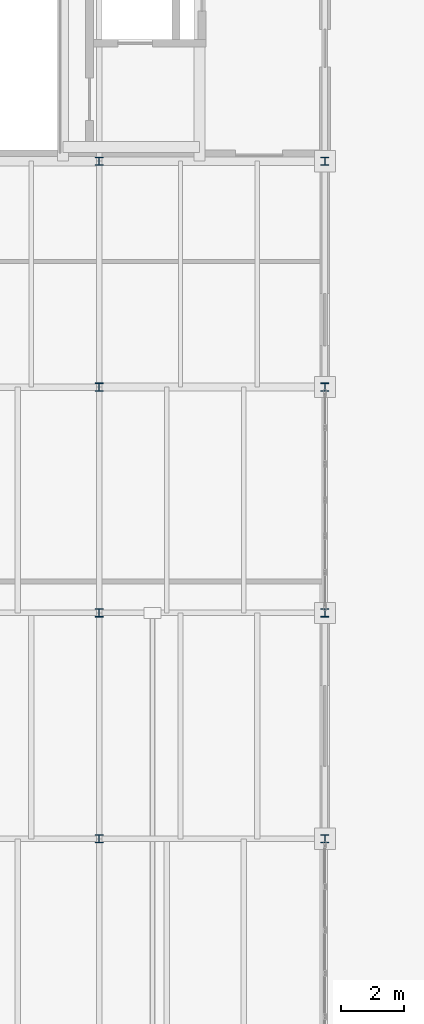
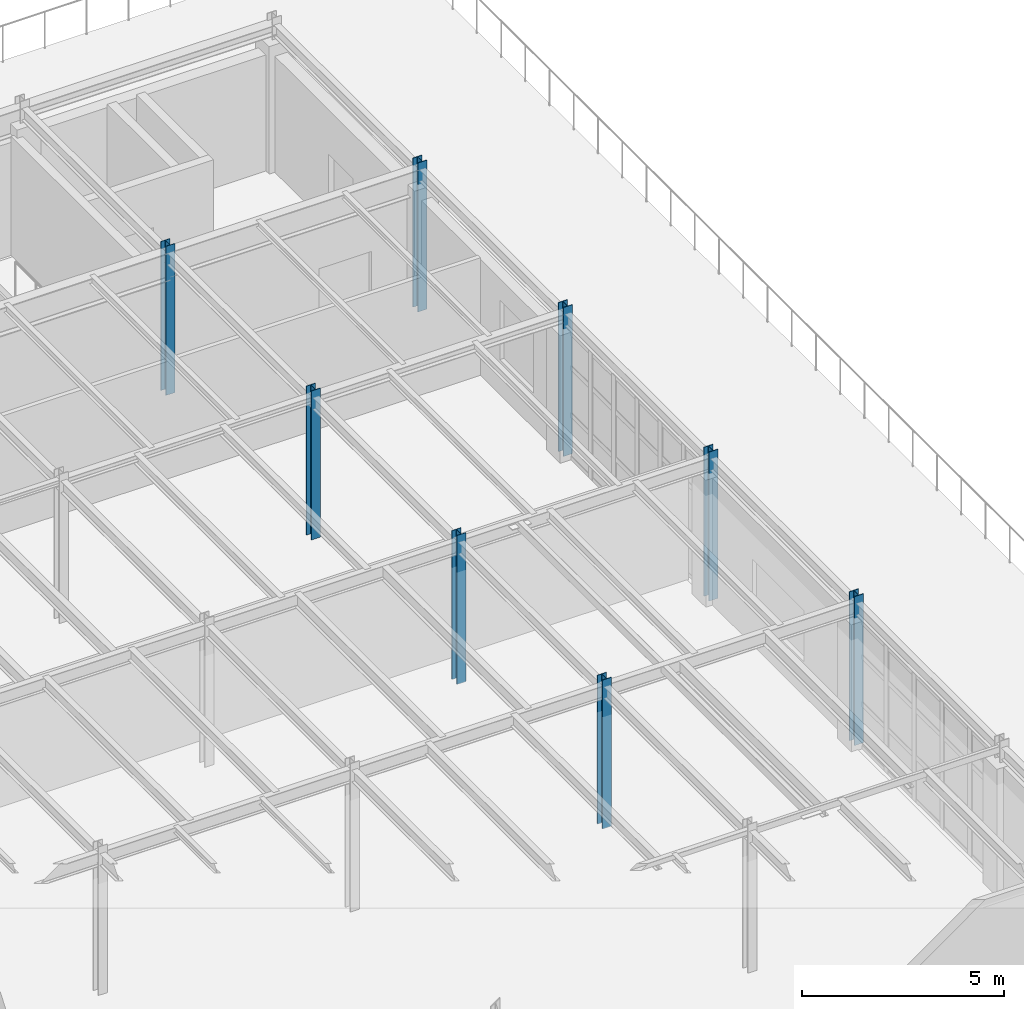
# One storey, part 5 of 36: 8 columns.
"""IFC4 building model written with IfcOpenShell, lengths in metres."""

from ifc_helpers import new_model, si_unit, direction, frame, origin, origin_2d, place, context, subcontext, project, spatial, i_section, extrude, material, material_profile, profile_set, type_object, element, save


model = new_model("IFC4")

# Units and contexts
model_context = context("Model", 3, precision=1e-05, world=origin(), true_north=direction((0.0, 1.0)))
body_context = subcontext(model_context, "Body", "Model", "MODEL_VIEW")
ifc_project = project(units=[si_unit("LENGTHUNIT", "METRE"), si_unit("AREAUNIT", "SQUARE_METRE"), si_unit("VOLUMEUNIT", "CUBIC_METRE"), si_unit("PLANEANGLEUNIT", "RADIAN"), si_unit("MASSUNIT", "GRAM", prefix="KILO")], contexts=[model_context])

# Site, building, storey
site_placement = place(None, origin())
site = spatial("IfcSite", under=ifc_project, at=site_placement, CompositionType="ELEMENT")
building_placement = place(site_placement, origin())
building = spatial("IfcBuilding", under=site, at=building_placement, Name="Kemerveld Promenade Tramway Depot", CompositionType="ELEMENT")
storey_placement = place(building_placement, frame((0.0, 0.0, 14.39990234375)))
storey = spatial("IfcBuildingStorey", under=building, at=storey_placement, Name="L03", CompositionType="ELEMENT", Elevation=14.39990234375)

# Columns
ifc_material = material(Name="Steel S355", Category="steel")
ifc_material_profile = material_profile(ifc_material, i_section(OverallWidth=0.25634765625, OverallDepth=0.26025390625, WebThickness=0.01025390625, FlangeThickness=0.017333984375, FilletRadius=0.0126953125, at=origin_2d()), Name="254x254x89 UC")
ifc_profile_set = profile_set([ifc_material_profile], Name="Steel S355")
column_type = type_object("IfcColumnType", Name="COL-S08", PredefinedType="COLUMN", material=ifc_profile_set)
for number, where, z_axis, x_axis, name in (
    (1, (36.0, 36.0, 0.0), (0.0, 0.0, 1.0), (1.0, 0.0, 0.0), "COL-L03-06-F"),
    (2, (36.0, 43.199951171875, 0.0), (0.0, 0.0, 1.0), (1.0, 0.0, 0.0), "COL-L03-06-G"),
    (3, (36.0, 50.39990234375, 0.0), (0.0, 0.0, 1.0), (1.0, 0.0, 0.0), "COL-L03-06-H"),
    (4, (36.0, 57.60009765625, 0.0), (0.0, 0.0, 1.0), (1.0, 0.0, 0.0), "COL-L03-06-J"),
    (5, (43.199951171875, 36.0, 0.0), (0.0, 0.0, 1.0), (1.0, 0.0, 0.0), "COL-L03-07-F"),
    (6, (43.199951171875, 43.199951171875, 0.0), (0.0, 0.0, 1.0), (1.0, 0.0, 0.0), "COL-L03-07-G"),
    (7, (43.199951171875, 50.39990234375, 0.0), (0.0, 0.0, 1.0), (1.0, 0.0, 0.0), "COL-L03-07-H"),
    (8, (43.199951171875, 57.60009765625, 0.0), (0.0, 0.0, 1.0), (1.0, 0.0, 0.0), "COL-L03-07-J"),
):
    element("IfcColumn", number, at=place(storey_placement, frame(where, z_axis=z_axis, x_axis=x_axis)), inside=storey, type_object=column_type, Name=name, PredefinedType="COLUMN", context=body_context, shape_type="SweptSolid", body=[
        extrude(i_section(OverallWidth=0.25634765625, OverallDepth=0.26025390625, WebThickness=0.01025390625, FlangeThickness=0.017333984375, FilletRadius=0.0126953125, at=origin_2d()), origin(), (0.0, 0.0, 1.0), 4.5),
    ])

save(model, "model.ifc")
